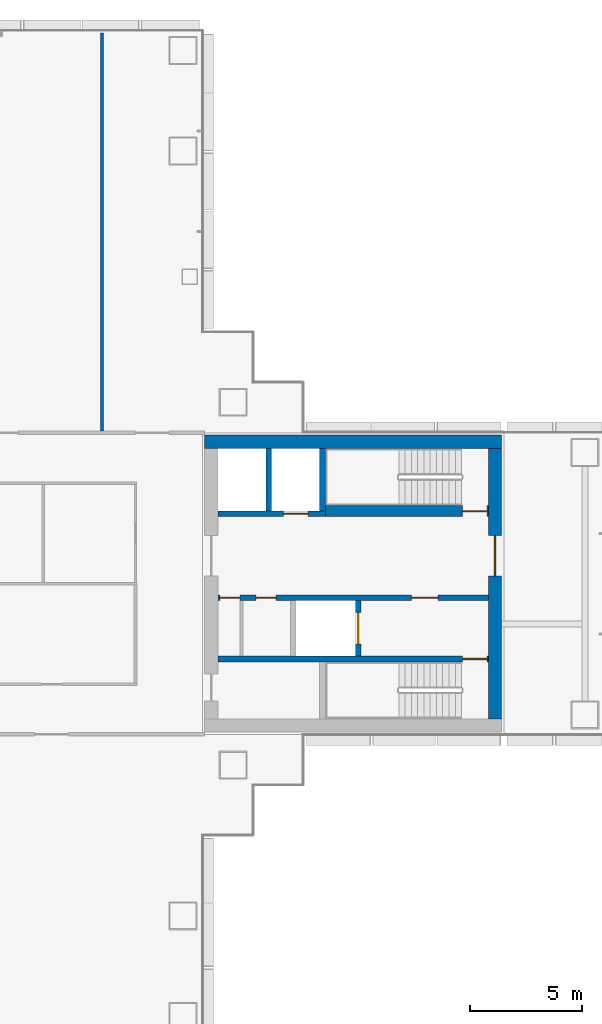
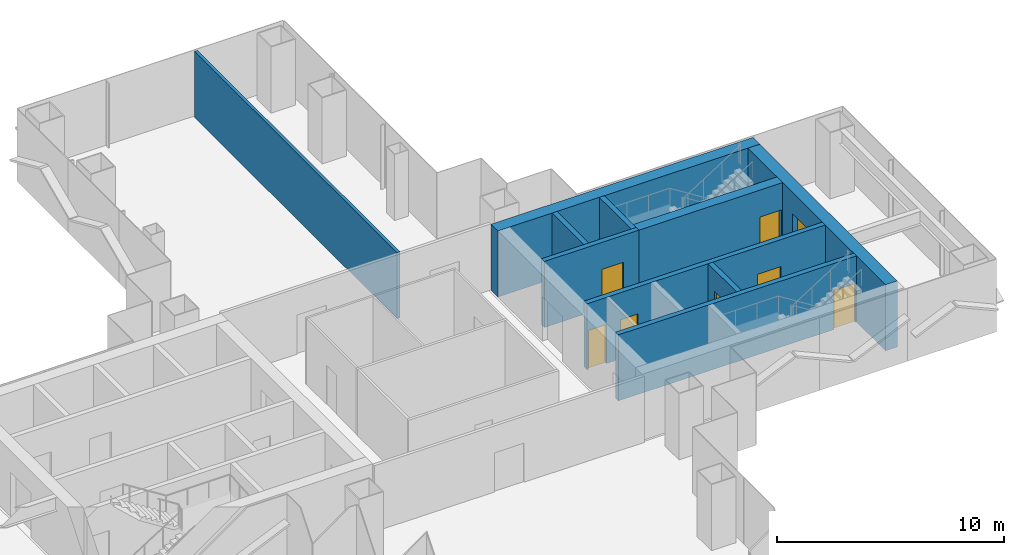
# One storey, part 14 of 19: 10 walls, 8 doors, 8 openings.
"""IFC4 building model written with IfcOpenShell, lengths in metres."""

from ifc_helpers import new_model, si_unit, direction, frame, frame_2d, origin, place, context, subcontext, project, spatial, rectangle, extrude, material, layer, layer_set, type_object, element, fill, save


model = new_model("IFC4")

# Units and contexts
model_context = context("Model", 3, precision=1e-05, world=origin(), true_north=direction((0.0, 1.0)))
body_context = subcontext(model_context, "Body", "Model", "MODEL_VIEW")
ifc_project = project(units=[si_unit("LENGTHUNIT", "METRE"), si_unit("AREAUNIT", "SQUARE_METRE"), si_unit("VOLUMEUNIT", "CUBIC_METRE"), si_unit("PLANEANGLEUNIT", "RADIAN"), si_unit("MASSUNIT", "GRAM", prefix="KILO")], contexts=[model_context])

# Site, building, storey
site_placement = place(None, origin())
site = spatial("IfcSite", under=ifc_project, at=site_placement, CompositionType="ELEMENT")
building_placement = place(site_placement, origin())
building = spatial("IfcBuilding", under=site, at=building_placement, Name="Shamsa Quay Exchange Towers", CompositionType="ELEMENT")
storey_placement = place(building_placement, frame((0.0, 0.0, 85.800048828125)))
storey = spatial("IfcBuildingStorey", under=building, at=storey_placement, Name="L19", CompositionType="ELEMENT", Elevation=85.800048828125)

# Wall
ifc_material_1 = material(Name="Concrete C70/85", Category="concrete")
ifc_layer_1 = layer(ifc_material_1, 0.60009765625)
ifc_layer_set_1 = layer_set([ifc_layer_1], Name="CORE WALL 600 C70/85")
wall_type_1 = type_object("IfcWallType", Name="CORE WALL 600 C70/85", PredefinedType="SHEAR", material=ifc_layer_set_1)
wall_1_placement = place(storey_placement, frame((53.89990234375, 6.35009765625, 0.0), z_axis=(0.0, 0.0, 1.0), x_axis=(-1.0, 0.0, 0.0)))
element("IfcWall", 1, at=wall_1_placement, inside=storey, type_object=wall_type_1, Name="Core wall T2B-R08-PN", PredefinedType="SHEAR", context=body_context, shape_type="SweptSolid", body=[
    extrude(rectangle(XDim=13.2998046875, YDim=0.60009765625, at=frame_2d((6.64990234375, 0.0))), origin(), (0.0, 0.0, 1.0), 3.550048828125),
])

# Wall, opening, door
wall_2_placement = place(storey_placement, frame((53.60009765625, -6.050048828125, 0.0), z_axis=(0.0, 0.0, 1.0), x_axis=(0.0, 1.0, 0.0)))
wall_2 = element("IfcWall", 2, at=wall_2_placement, inside=storey, type_object=wall_type_1, Name="Core wall T2B-R08-PF", PredefinedType="SHEAR", context=body_context, shape_type="SweptSolid", body=[
    extrude(rectangle(XDim=12.10009765625, YDim=0.60009765625, at=frame_2d((6.050048828125, 0.0))), origin(), (0.0, 0.0, 1.0), 3.550048828125),
])
opening_1_placement = place(wall_2_placement, frame((6.39990234375, 0.0, 0.0)))
opening_1 = element("IfcOpeningElement", 3, at=opening_1_placement, cuts=wall_2, Name="Opening T2B-R08-LBD01", PredefinedType="OPENING", context=body_context, shape_type="SweptSolid", body=[
    extrude(rectangle(XDim=1.800048828125, YDim=2.39990234375, at=frame_2d((0.89990234375, 1.199951171875))), frame((0.0, 0.31005859375, 0.0), z_axis=(0.0, -1.0, 0.0), x_axis=(1.0, 0.0, 0.0)), (0.0, 0.0, 1.0), 0.6201171875),
])
ifc_material_2 = material(Name="Steel, fire rated", Category="steel")
door_type_1 = type_object("IfcDoorType", Name="LIFT LOBBY DOOR PAIR 1800", OperationType="DOUBLE_DOOR_SINGLE_SWING", PredefinedType="DOOR", material=ifc_material_2)
door_1_placement = place(opening_1_placement, origin())
door_1 = element("IfcDoor", 4, at=door_1_placement, inside=storey, type_object=door_type_1, Name="T2B-R08-LBD01", OperationType="DOUBLE_DOOR_SINGLE_SWING", OverallHeight=2.39990234375, OverallWidth=1.800048828125, PredefinedType="DOOR", context=body_context, shape_type="SweptSolid", body=[
    extrude(rectangle(XDim=1.800048828125, YDim=2.39990234375, at=frame_2d((0.89990234375, 1.199951171875))), frame((0.0, 0.02490234375, 0.0), z_axis=(0.0, -1.0, 0.0), x_axis=(1.0, 0.0, 0.0)), (0.0, 0.0, 1.0), 0.050048828125),
])
fill(opening_1, door_1)

# Wall
ifc_material_3 = material(Name="Gypsum board partition on metal studs")
ifc_layer_2 = layer(ifc_material_3, 0.14990234375)
ifc_layer_set_2 = layer_set([ifc_layer_2], Name="Partition 150 mm EI 60")
wall_type_2 = type_object("IfcWallType", Name="Partition 150 mm EI 60", PredefinedType="PARTITIONING", material=ifc_layer_set_2)
wall_3_placement = place(storey_placement, frame((36.0, 24.655029296875, 0.0), z_axis=(0.0, 0.0, 1.0), x_axis=(0.0, -1.0, 0.0)))
element("IfcWall", 5, at=wall_3_placement, inside=storey, type_object=wall_type_2, Name="Partition T2-R08-W11", PredefinedType="PARTITIONING", context=body_context, shape_type="SweptSolid", body=[
    extrude(rectangle(XDim=17.830078125, YDim=0.14990234375, at=frame_2d((8.9150390625, 0.0))), origin(), (0.0, 0.0, 1.0), 3.550048828125),
])

# Wall, opening, door
ifc_material_4 = material(Name="Concrete C50/60", Category="concrete")
ifc_layer_3 = layer(ifc_material_4, 0.25)
ifc_layer_set_3 = layer_set([ifc_layer_3], Name="SHAFT WALL 250 C50/60")
wall_type_3 = type_object("IfcWallType", Name="SHAFT WALL 250 C50/60", PredefinedType="SHEAR", material=ifc_layer_set_3)
wall_4_placement = place(storey_placement, frame((53.300048828125, -3.375, 0.0), z_axis=(0.0, 0.0, 1.0), x_axis=(-1.0, 0.0, 0.0)))
wall_4 = element("IfcWall", 6, at=wall_4_placement, inside=storey, type_object=wall_type_3, Name="Shaft wall T2B-R08-STL", PredefinedType="SHEAR", context=body_context, shape_type="SweptSolid", body=[
    extrude(rectangle(XDim=12.10009765625, YDim=0.25, at=frame_2d((6.050048828125, 0.0))), origin(), (0.0, 0.0, 1.0), 3.550048828125),
])
opening_2_placement = place(wall_4_placement, frame((0.050048828125, 0.0, 0.0)))
opening_2 = element("IfcOpeningElement", 7, at=opening_2_placement, cuts=wall_4, Name="Opening T2B-R08-SD04", PredefinedType="OPENING", context=body_context, shape_type="SweptSolid", body=[
    extrude(rectangle(XDim=1.10009765625, YDim=2.10009765625, at=frame_2d((0.550048828125, 1.050048828125))), frame((0.0, 0.135009765625, 0.0), z_axis=(0.0, -1.0, 0.0), x_axis=(1.0, 0.0, 0.0)), (0.0, 0.0, 1.0), 0.27001953125),
])
door_type_2 = type_object("IfcDoorType", Name="STAIR DOOR 1100", OperationType="SINGLE_SWING_LEFT", PredefinedType="DOOR", material=ifc_material_2)
door_2_placement = place(opening_2_placement, origin())
door_2 = element("IfcDoor", 8, at=door_2_placement, inside=storey, type_object=door_type_2, Name="T2B-R08-SD04", OperationType="SINGLE_SWING_LEFT", OverallHeight=2.10009765625, OverallWidth=1.10009765625, PredefinedType="DOOR", context=body_context, shape_type="SweptSolid", body=[
    extrude(rectangle(XDim=1.10009765625, YDim=2.10009765625, at=frame_2d((0.550048828125, 1.050048828125))), frame((0.0, 0.02490234375, 0.0), z_axis=(0.0, -1.0, 0.0), x_axis=(1.0, 0.0, 0.0)), (0.0, 0.0, 1.0), 0.050048828125),
])
fill(opening_2, door_2)

# Wall, openings, doors
wall_5_placement = place(storey_placement, frame((53.300048828125, -0.625, 0.0), z_axis=(0.0, 0.0, 1.0), x_axis=(-1.0, 0.0, 0.0)))
wall_5 = element("IfcWall", 9, at=wall_5_placement, inside=storey, type_object=wall_type_3, Name="Shaft wall T2B-R08-B", PredefinedType="SHEAR", context=body_context, shape_type="SweptSolid", body=[
    extrude(rectangle(XDim=12.10009765625, YDim=0.25, at=frame_2d((6.050048828125, 0.0))), origin(), (0.0, 0.0, 1.0), 3.550048828125),
])
opening_3_placement = place(wall_5_placement, frame((2.25, 0.0, 0.0)))
opening_3 = element("IfcOpeningElement", 10, at=opening_3_placement, cuts=wall_5, Name="Opening T2B-R08-FD05", PredefinedType="OPENING", context=body_context, shape_type="SweptSolid", body=[
    extrude(rectangle(XDim=1.199951171875, YDim=2.10009765625, at=frame_2d((0.60009765625, 1.050048828125))), frame((0.0, 0.135009765625, 0.0), z_axis=(0.0, -1.0, 0.0), x_axis=(1.0, 0.0, 0.0)), (0.0, 0.0, 1.0), 0.27001953125),
])
opening_4_placement = place(wall_5_placement, frame((9.5, 0.0, 0.0)))
opening_4 = element("IfcOpeningElement", 11, at=opening_4_placement, cuts=wall_5, Name="Opening T2B-R08-SV06", PredefinedType="OPENING", context=body_context, shape_type="SweptSolid", body=[
    extrude(rectangle(XDim=0.89990234375, YDim=2.10009765625, at=frame_2d((0.449951171875, 1.050048828125))), frame((0.0, 0.135009765625, 0.0), z_axis=(0.0, -1.0, 0.0), x_axis=(1.0, 0.0, 0.0)), (0.0, 0.0, 1.0), 0.27001953125),
])
opening_5_placement = place(wall_5_placement, frame((11.125, 0.0, 0.0)))
opening_5 = element("IfcOpeningElement", 12, at=opening_5_placement, cuts=wall_5, Name="Opening T2B-R08-SV07", PredefinedType="OPENING", context=body_context, shape_type="SweptSolid", body=[
    extrude(rectangle(XDim=0.89990234375, YDim=2.10009765625, at=frame_2d((0.449951171875, 1.050048828125))), frame((0.0, 0.135009765625, 0.0), z_axis=(0.0, -1.0, 0.0), x_axis=(1.0, 0.0, 0.0)), (0.0, 0.0, 1.0), 0.27001953125),
])
door_type_3 = type_object("IfcDoorType", Name="FIRE SERVICE LOBBY DOOR 1200", OperationType="SINGLE_SWING_LEFT", PredefinedType="DOOR", material=ifc_material_2)
door_3_placement = place(opening_3_placement, origin())
door_3 = element("IfcDoor", 13, at=door_3_placement, inside=storey, type_object=door_type_3, Name="T2B-R08-FD05", OperationType="SINGLE_SWING_LEFT", OverallHeight=2.10009765625, OverallWidth=1.199951171875, PredefinedType="DOOR", context=body_context, shape_type="SweptSolid", body=[
    extrude(rectangle(XDim=1.199951171875, YDim=2.10009765625, at=frame_2d((0.60009765625, 1.050048828125))), frame((0.0, 0.02490234375, 0.0), z_axis=(0.0, -1.0, 0.0), x_axis=(1.0, 0.0, 0.0)), (0.0, 0.0, 1.0), 0.050048828125),
])
fill(opening_3, door_3)
door_type_4 = type_object("IfcDoorType", Name="SERVICE ROOM DOOR 900", OperationType="SINGLE_SWING_LEFT", PredefinedType="DOOR", material=ifc_material_2)
door_4_placement = place(opening_4_placement, origin())
door_4 = element("IfcDoor", 14, at=door_4_placement, inside=storey, type_object=door_type_4, Name="T2B-R08-SV06", OperationType="SINGLE_SWING_RIGHT", OverallHeight=2.10009765625, OverallWidth=0.89990234375, PredefinedType="DOOR", context=body_context, shape_type="SweptSolid", body=[
    extrude(rectangle(XDim=0.89990234375, YDim=2.10009765625, at=frame_2d((0.449951171875, 1.050048828125))), frame((0.0, 0.02490234375, 0.0), z_axis=(0.0, -1.0, 0.0), x_axis=(1.0, 0.0, 0.0)), (0.0, 0.0, 1.0), 0.050048828125),
])
fill(opening_4, door_4)
door_5_placement = place(opening_5_placement, origin())
door_5 = element("IfcDoor", 15, at=door_5_placement, inside=storey, type_object=door_type_4, Name="T2B-R08-SV07", OperationType="SINGLE_SWING_RIGHT", OverallHeight=2.10009765625, OverallWidth=0.89990234375, PredefinedType="DOOR", context=body_context, shape_type="SweptSolid", body=[
    extrude(rectangle(XDim=0.89990234375, YDim=2.10009765625, at=frame_2d((0.449951171875, 1.050048828125))), frame((0.0, 0.02490234375, 0.0), z_axis=(0.0, -1.0, 0.0), x_axis=(1.0, 0.0, 0.0)), (0.0, 0.0, 1.0), 0.050048828125),
])
fill(opening_5, door_5)

# Wall, opening, door
wall_6_placement = place(storey_placement, frame((47.47509765625, -3.25, 0.0), z_axis=(0.0, 0.0, 1.0), x_axis=(0.0, 1.0, 0.0)))
wall_6 = element("IfcWall", 16, at=wall_6_placement, inside=storey, type_object=wall_type_3, Name="Shaft wall T2B-R08-FFF", PredefinedType="SHEAR", context=body_context, shape_type="SweptSolid", body=[
    extrude(rectangle(XDim=2.5, YDim=0.25, at=frame_2d((1.25, 0.0))), origin(), (0.0, 0.0, 1.0), 3.550048828125),
])
opening_6_placement = place(wall_6_placement, frame((0.550048828125, 0.0, 0.0)))
opening_6 = element("IfcOpeningElement", 17, at=opening_6_placement, cuts=wall_6, Name="Opening T2B-R08-LDG08", PredefinedType="OPENING", context=body_context, shape_type="SweptSolid", body=[
    extrude(rectangle(XDim=1.39990234375, YDim=2.39990234375, at=frame_2d((0.699951171875, 1.199951171875))), frame((0.0, 0.135009765625, 0.0), z_axis=(0.0, -1.0, 0.0), x_axis=(1.0, 0.0, 0.0)), (0.0, 0.0, 1.0), 0.27001953125),
])
door_type_5 = type_object("IfcDoorType", Name="GOODS LIFT LANDING DOOR 1400", OperationType="SLIDING_TO_LEFT", PredefinedType="DOOR", material=ifc_material_2)
door_6_placement = place(opening_6_placement, origin())
door_6 = element("IfcDoor", 18, at=door_6_placement, inside=storey, type_object=door_type_5, Name="T2B-R08-LDG08", OperationType="SLIDING_TO_LEFT", OverallHeight=2.39990234375, OverallWidth=1.39990234375, PredefinedType="DOOR", context=body_context, shape_type="SweptSolid", body=[
    extrude(rectangle(XDim=1.39990234375, YDim=2.39990234375, at=frame_2d((0.699951171875, 1.199951171875))), frame((0.0, 0.02490234375, 0.0), z_axis=(0.0, -1.0, 0.0), x_axis=(1.0, 0.0, 0.0)), (0.0, 0.0, 1.0), 0.050048828125),
])
fill(opening_6, door_6)

wall_7_placement = place(storey_placement, frame((46.0, 3.125, 0.0), z_axis=(0.0, 0.0, 1.0), x_axis=(-1.0, 0.0, 0.0)))
wall_7 = element("IfcWall", 19, at=wall_7_placement, inside=storey, type_object=wall_type_3, Name="Shaft wall T2B-R08-N2", PredefinedType="SHEAR", context=body_context, shape_type="SweptSolid", body=[
    extrude(rectangle(XDim=4.800048828125, YDim=0.25, at=frame_2d((2.39990234375, 0.0))), origin(), (0.0, 0.0, 1.0), 3.550048828125),
])
opening_7_placement = place(wall_7_placement, frame((0.77490234375, 0.0, 0.0)))
opening_7 = element("IfcOpeningElement", 20, at=opening_7_placement, cuts=wall_7, Name="Opening T2B-R08-LD10", PredefinedType="OPENING", context=body_context, shape_type="SweptSolid", body=[
    extrude(rectangle(XDim=1.10009765625, YDim=2.10009765625, at=frame_2d((0.550048828125, 1.050048828125))), frame((0.0, 0.135009765625, 0.0), z_axis=(0.0, -1.0, 0.0), x_axis=(1.0, 0.0, 0.0)), (0.0, 0.0, 1.0), 0.27001953125),
])
door_type_6 = type_object("IfcDoorType", Name="LANDING DOOR 1100", OperationType="SLIDING_TO_LEFT", PredefinedType="DOOR", material=ifc_material_2)
door_7_placement = place(opening_7_placement, origin())
door_7 = element("IfcDoor", 21, at=door_7_placement, inside=storey, type_object=door_type_6, Name="T2B-R08-LD10", OperationType="SLIDING_TO_LEFT", OverallHeight=2.10009765625, OverallWidth=1.10009765625, PredefinedType="DOOR", context=body_context, shape_type="SweptSolid", body=[
    extrude(rectangle(XDim=1.10009765625, YDim=2.10009765625, at=frame_2d((0.550048828125, 1.050048828125))), frame((0.0, 0.02490234375, 0.0), z_axis=(0.0, -1.0, 0.0), x_axis=(1.0, 0.0, 0.0)), (0.0, 0.0, 1.0), 0.050048828125),
])
fill(opening_7, door_7)

# Walls
for number, where, z_axis, x_axis, name in (
    (22, (45.875, 3.25, 0.0), (0.0, 0.0, 1.0), (0.0, 1.0, 0.0), "Shaft wall T2B-R08-STF2"),
    (23, (43.47509765625, 3.25, 0.0), (0.0, 0.0, 1.0), (0.0, 1.0, 0.0), "Shaft wall T2B-R08-D0"),
):
    element("IfcWall", number, at=place(storey_placement, frame(where, z_axis=z_axis, x_axis=x_axis)), inside=storey, type_object=wall_type_3, Name=name, PredefinedType="SHEAR", context=body_context, shape_type="SweptSolid", body=[
        extrude(rectangle(XDim=2.800048828125, YDim=0.25, at=frame_2d((1.39990234375, 0.0))), origin(), (0.0, 0.0, 1.0), 3.550048828125),
    ])

# Wall, opening, door
ifc_layer_4 = layer(ifc_material_4, 0.5)
ifc_layer_set_4 = layer_set([ifc_layer_4], Name="SHAFT WALL 500 C50/60")
wall_type_4 = type_object("IfcWallType", Name="SHAFT WALL 500 C50/60", PredefinedType="SHEAR", material=ifc_layer_set_4)
wall_8_placement = place(storey_placement, frame((46.0, 3.25, 0.0)))
wall_8 = element("IfcWall", 24, at=wall_8_placement, inside=storey, type_object=wall_type_4, Name="Shaft wall T2B-R08-N", PredefinedType="SHEAR", context=body_context, shape_type="SweptSolid", body=[
    extrude(rectangle(XDim=7.300048828125, YDim=0.5, at=frame_2d((3.64990234375, 0.0))), origin(), (0.0, 0.0, 1.0), 3.550048828125),
])
opening_8_placement = place(wall_8_placement, frame((6.14990234375, 0.0, 0.0)))
opening_8 = element("IfcOpeningElement", 25, at=opening_8_placement, cuts=wall_8, Name="Opening T2B-R08-SD09", PredefinedType="OPENING", context=body_context, shape_type="SweptSolid", body=[
    extrude(rectangle(XDim=1.10009765625, YDim=2.10009765625, at=frame_2d((0.550048828125, 1.050048828125))), frame((0.0, 0.260009765625, 0.0), z_axis=(0.0, -1.0, 0.0), x_axis=(1.0, 0.0, 0.0)), (0.0, 0.0, 1.0), 0.52001953125),
])
door_8_placement = place(opening_8_placement, origin())
door_8 = element("IfcDoor", 26, at=door_8_placement, inside=storey, type_object=door_type_2, Name="T2B-R08-SD09", OperationType="SINGLE_SWING_RIGHT", OverallHeight=2.10009765625, OverallWidth=1.10009765625, PredefinedType="DOOR", context=body_context, shape_type="SweptSolid", body=[
    extrude(rectangle(XDim=1.10009765625, YDim=2.10009765625, at=frame_2d((0.550048828125, 1.050048828125))), frame((0.0, 0.02490234375, 0.0), z_axis=(0.0, -1.0, 0.0), x_axis=(1.0, 0.0, 0.0)), (0.0, 0.0, 1.0), 0.050048828125),
])
fill(opening_8, door_8)

save(model, "model.ifc")
